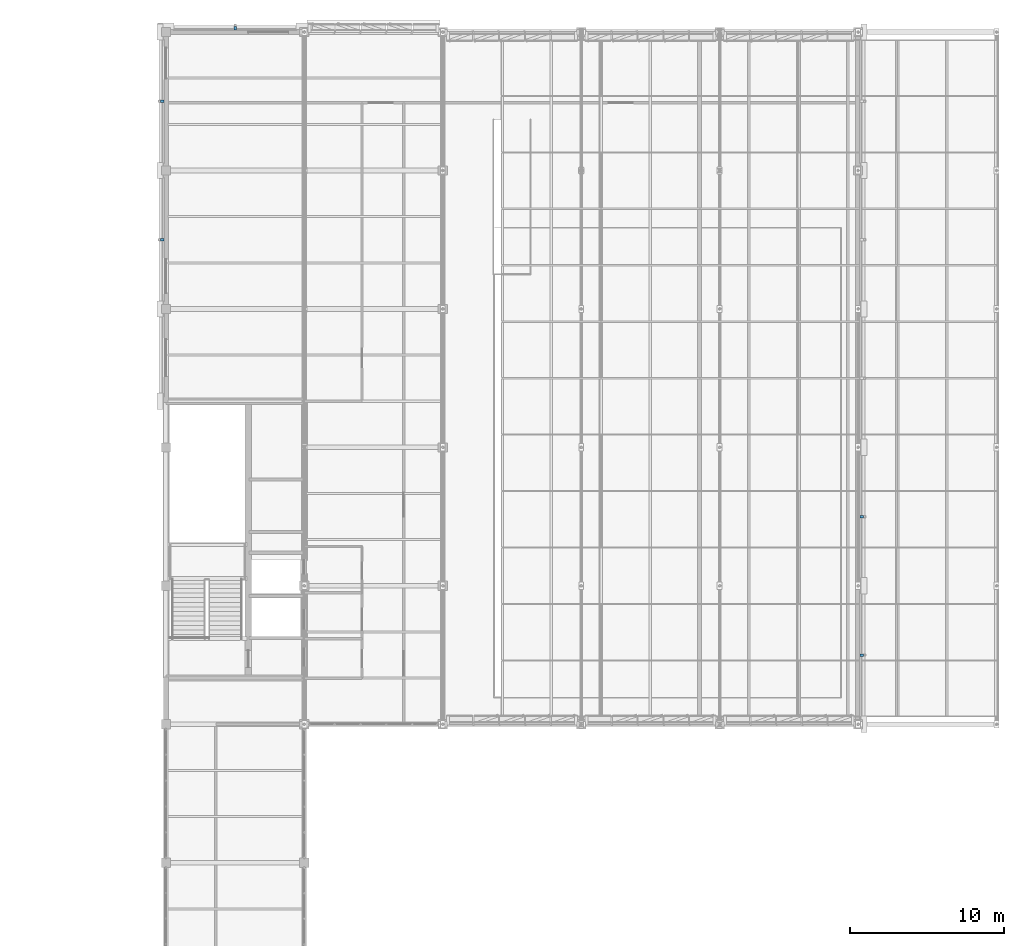
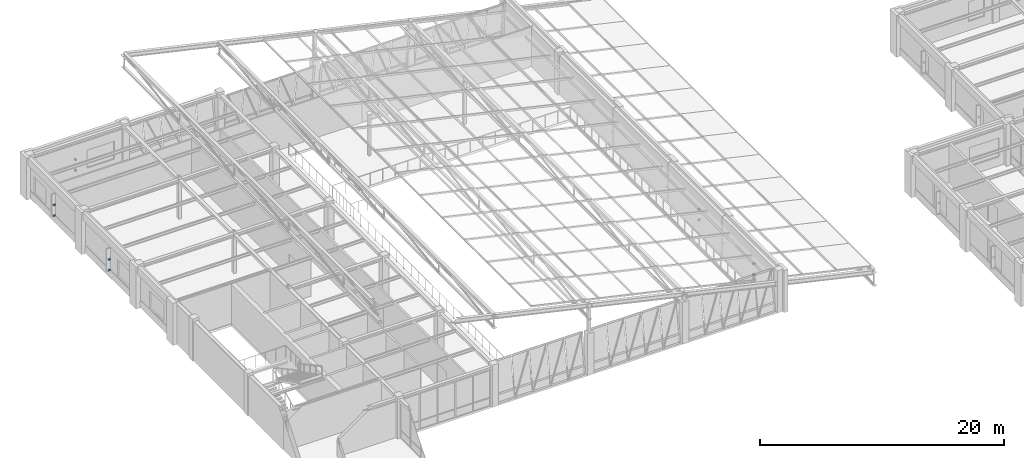
# One storey, part 120 of 130: 10 discrete accessories.
"""IFC4 building model written with IfcOpenShell, lengths in metres."""

from ifc_helpers import new_model, si_unit, direction, frame, origin, origin_2d, place, context, subcontext, project, spatial, rectangle, extrude, material, type_object, element, save


model = new_model("IFC4")

# Units and contexts
model_context = context("Model", 3, precision=1e-05, world=origin(), true_north=direction((0.0, 1.0)))
body_context = subcontext(model_context, "Body", "Model", "MODEL_VIEW")
ifc_project = project(units=[si_unit("LENGTHUNIT", "METRE"), si_unit("AREAUNIT", "SQUARE_METRE"), si_unit("VOLUMEUNIT", "CUBIC_METRE"), si_unit("PLANEANGLEUNIT", "RADIAN"), si_unit("MASSUNIT", "GRAM", prefix="KILO")], contexts=[model_context])

# Site, building, storey
site_placement = place(None, origin())
site = spatial("IfcSite", under=ifc_project, at=site_placement, CompositionType="ELEMENT")
building_placement = place(site_placement, origin())
building = spatial("IfcBuilding", under=site, at=building_placement, Name="Lykobir Media Centre", CompositionType="ELEMENT")
storey_placement = place(building_placement, frame((0.0, 0.0, 19.199951171875)))
storey = spatial("IfcBuildingStorey", under=building, at=storey_placement, Name="L04", CompositionType="ELEMENT", Elevation=19.199951171875)

# Discrete accessories
ifc_material = material(Name="Steel S355", Category="steel")
discrete_accessory_type = type_object("IfcDiscreteAccessoryType", Name="ACC-BRK", PredefinedType="BRACKET", material=ifc_material)
for number, where, z_axis, x_axis, name in (
    (1, (72.235107421875, 67.5, 0.7001953125), (0.0, 0.0, 1.0), (0.0, 1.0, 0.0), "Cumba corbel bracket 111"),
    (2, (72.235107421875, 67.5, 1.77001953125), (0.0, 0.0, 1.0), (0.0, 1.0, 0.0), "Shading fin bracket 112"),
    (3, (72.235107421875, 76.5, 0.7001953125), (0.0, 0.0, 1.0), (0.0, 1.0, 0.0), "Cumba corbel bracket 113"),
    (4, (72.235107421875, 76.5, 1.77001953125), (0.0, 0.0, 1.0), (0.0, 1.0, 0.0), "Shading fin bracket 114"),
    (5, (31.5, 108.235107421875, 0.7001953125), (0.0, 0.0, 1.0), (-1.0, 0.0, 0.0), "Cumba corbel bracket 121"),
    (6, (31.5, 108.235107421875, 1.77001953125), (0.0, 0.0, 1.0), (-1.0, 0.0, 0.0), "Shading fin bracket 122"),
    (7, (26.764892578125, 94.5, 0.7001953125), (0.0, 0.0, 1.0), (0.0, -1.0, 0.0), "Cumba corbel bracket 123"),
    (8, (26.764892578125, 94.5, 1.77001953125), (0.0, 0.0, 1.0), (0.0, -1.0, 0.0), "Shading fin bracket 124"),
    (9, (26.764892578125, 103.5, 0.7001953125), (0.0, 0.0, 1.0), (0.0, -1.0, 0.0), "Cumba corbel bracket 125"),
    (10, (26.764892578125, 103.5, 1.77001953125), (0.0, 0.0, 1.0), (0.0, -1.0, 0.0), "Shading fin bracket 126"),
):
    element("IfcDiscreteAccessory", number, at=place(storey_placement, frame(where, z_axis=z_axis, x_axis=x_axis)), inside=storey, type_object=discrete_accessory_type, Name=name, PredefinedType="BRACKET", context=body_context, shape_type="SweptSolid", body=[
        extrude(rectangle(XDim=0.159912109375, YDim=0.219970703125, at=origin_2d()), origin(), (0.0, 0.0, 1.0), 0.159912109375),
    ])

save(model, "model.ifc")
